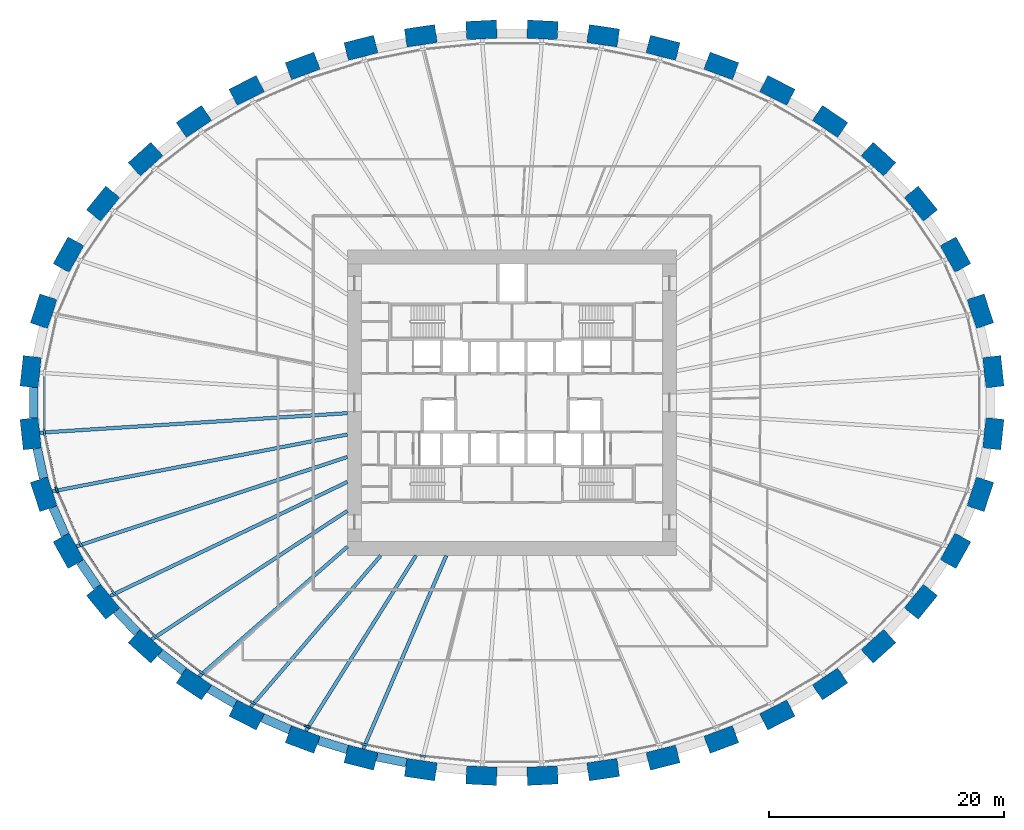
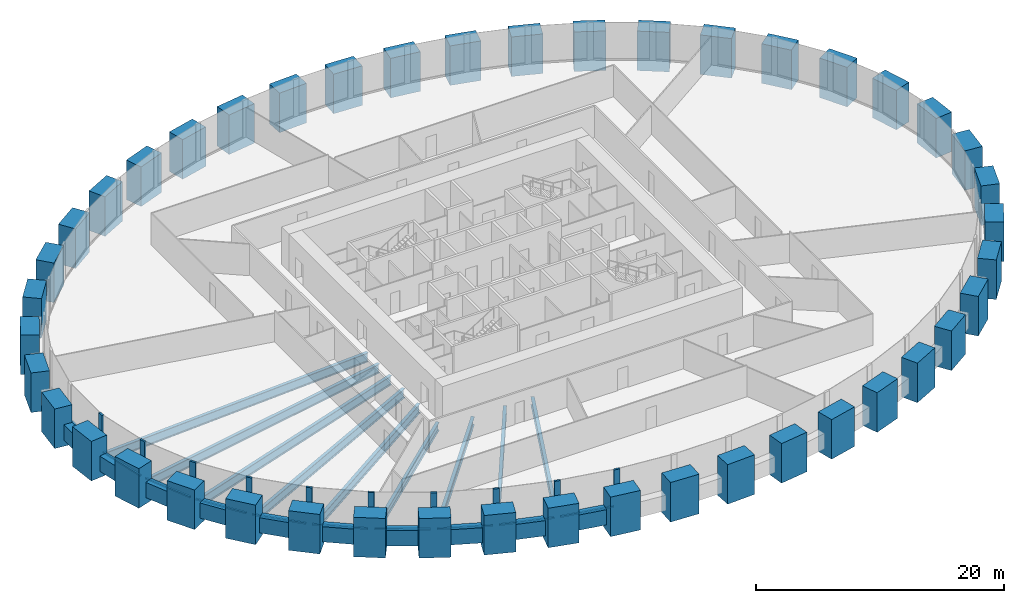
# One storey, part 1 of 10: 44 columns, 20 members, 19 beams, 1 element without a shape of its own.
"""IFC4 building model written with IfcOpenShell, lengths in metres."""

from ifc_helpers import new_model, si_unit, direction, frame, origin, origin_2d, place, context, subcontext, project, spatial, rectangle, i_section, extrude, source, transform, mapped, material, material_profile, profile_set, type_object, element, aggregate, save


model = new_model("IFC4")

# Units and contexts
model_context = context("Model", 3, precision=1e-05, world=origin(), true_north=direction((0.0, 1.0)))
body_context = subcontext(model_context, "Body", "Model", "MODEL_VIEW")
ifc_project = project(units=[si_unit("LENGTHUNIT", "METRE"), si_unit("AREAUNIT", "SQUARE_METRE"), si_unit("VOLUMEUNIT", "CUBIC_METRE"), si_unit("PLANEANGLEUNIT", "RADIAN"), si_unit("MASSUNIT", "GRAM", prefix="KILO")], contexts=[model_context])

# Site, building, storey
site_placement = place(None, origin())
site = spatial("IfcSite", under=ifc_project, at=site_placement, CompositionType="ELEMENT")
building_placement = place(site_placement, origin())
building = spatial("IfcBuilding", under=site, at=building_placement, Name="Embergate Tower", CompositionType="ELEMENT")
storey_placement = place(building_placement, frame((0.0, 0.0, 93.199951171875)))
storey = spatial("IfcBuildingStorey", under=building, at=storey_placement, Name="L19", CompositionType="ELEMENT", Elevation=93.199951171875)

# Columns
ifc_material_1 = material(Name="Concrete C70", Category="concrete")
ifc_material_profile_1 = material_profile(ifc_material_1, rectangle(XDim=1.550048828125, YDim=2.60009765625, at=origin_2d()), Name="RC 1550x2600")
ifc_profile_set_1 = profile_set([ifc_material_profile_1], Name="Concrete C70")
column_type = type_object("IfcColumnType", Name="Ring column RC 1550x2600 C70", PredefinedType="COLUMN", material=ifc_profile_set_1)
shared_shape_1 = source(origin(), body_context, "Body", "SweptSolid", [
    extrude(rectangle(XDim=1.550048828125, YDim=2.60009765625, at=origin_2d()), origin(), (0.0, 0.0, 1.0), 3.89990234375),
])
for number, where, z_axis, x_axis, name in (
    (1, (40.93408203125, 2.634033203125, -1.39990234375), (0.0, 0.0, 1.0), (0.99428589498, 0.106749983816, 0.0), "COL-L19-00"),
    (2, (39.825927734375, 7.781005859375, -1.39990234375), (0.0, 0.0, 1.0), (0.950754033697, 0.309946394413, 0.0), "COL-L19-01"),
    (3, (37.716064453125, 12.592041015625, -1.39990234375), (0.0, 0.0, 1.0), (0.873491969053, 0.486838556403, 0.0), "COL-L19-02"),
    (4, (34.77001953125, 16.926025390625, -1.39990234375), (0.0, 0.0, 1.0), (0.775925311702, 0.630824786022, 0.0), "COL-L19-03"),
    (5, (31.162109375, 20.708984375, -1.39990234375), (0.0, 0.0, 1.0), (0.669208424634, 0.74307475021, 0.0), "COL-L19-04"),
    (6, (27.051025390625, 23.9189453125, -1.39990234375), (0.0, 0.0, 1.0), (0.560393279442, 0.828226643109, 0.0), "COL-L19-05"),
    (7, (22.56298828125, 26.556884765625, -1.39990234375), (0.0, 0.0, 1.0), (0.452994952881, 0.891513080478, 0.0), "COL-L19-06"),
    (8, (17.801025390625, 28.639892578125, -1.39990234375), (0.0, 0.0, 1.0), (0.348343015724, 0.93736713373, 0.0), "COL-L19-07"),
    (9, (12.843017578125, 30.18408203125, -1.39990234375), (0.0, 0.0, 1.0), (0.246491603437, 0.969144926951, 0.0), "COL-L19-08"),
    (10, (7.7548828125, 31.2041015625, -1.39990234375), (0.0, 0.0, 1.0), (0.146929011949, 0.989147039346, 0.0), "COL-L19-09"),
    (11, (2.593017578125, 31.7119140625, -1.39990234375), (0.0, 0.0, 1.0), (0.048814904854, 0.998807841912, 0.0), "COL-L19-10"),
    (12, (-2.593017578125, 31.7119140625, -1.39990234375), (0.0, 0.0, 1.0), (-0.048814904854, 0.998807841912, 0.0), "COL-L19-11"),
    (13, (-7.7548828125, 31.2041015625, -1.39990234375), (0.0, 0.0, 1.0), (-0.146929011949, 0.989147039346, 0.0), "COL-L19-12"),
    (14, (-12.843017578125, 30.18408203125, -1.39990234375), (0.0, 0.0, 1.0), (-0.246491603437, 0.969144926951, 0.0), "COL-L19-13"),
    (15, (-17.801025390625, 28.639892578125, -1.39990234375), (0.0, 0.0, 1.0), (-0.348343015724, 0.93736713373, 0.0), "COL-L19-14"),
    (16, (-22.56298828125, 26.556884765625, -1.39990234375), (0.0, 0.0, 1.0), (-0.452994952881, 0.891513080478, 0.0), "COL-L19-15"),
    (17, (-27.051025390625, 23.9189453125, -1.39990234375), (0.0, 0.0, 1.0), (-0.560393279442, 0.828226643109, 0.0), "COL-L19-16"),
    (18, (-31.162109375, 20.708984375, -1.39990234375), (0.0, 0.0, 1.0), (-0.669208424634, 0.74307475021, 0.0), "COL-L19-17"),
    (19, (-34.77001953125, 16.926025390625, -1.39990234375), (0.0, 0.0, 1.0), (-0.775925311702, 0.630824786022, 0.0), "COL-L19-18"),
    (20, (-37.716064453125, 12.592041015625, -1.39990234375), (0.0, 0.0, 1.0), (-0.873491969053, 0.486838556403, 0.0), "COL-L19-19"),
    (21, (-39.825927734375, 7.781005859375, -1.39990234375), (0.0, 0.0, 1.0), (-0.950754033697, 0.309946394413, 0.0), "COL-L19-20"),
    (22, (-40.93408203125, 2.634033203125, -1.39990234375), (0.0, 0.0, 1.0), (-0.99428589498, 0.106749983816, 0.0), "COL-L19-21"),
    (23, (-40.93408203125, -2.634033203125, -1.39990234375), (0.0, 0.0, 1.0), (-0.99428589498, -0.106749983816, 0.0), "COL-L19-22"),
    (24, (-39.825927734375, -7.781005859375, -1.39990234375), (0.0, 0.0, 1.0), (-0.950754033697, -0.309946394413, 0.0), "COL-L19-23"),
    (25, (-37.716064453125, -12.592041015625, -1.39990234375), (0.0, 0.0, 1.0), (-0.873491969053, -0.486838556403, 0.0), "COL-L19-24"),
    (26, (-34.77001953125, -16.926025390625, -1.39990234375), (0.0, 0.0, 1.0), (-0.775925311702, -0.630824786022, 0.0), "COL-L19-25"),
    (27, (-31.162109375, -20.708984375, -1.39990234375), (0.0, 0.0, 1.0), (-0.669208424634, -0.74307475021, 0.0), "COL-L19-26"),
    (28, (-27.051025390625, -23.9189453125, -1.39990234375), (0.0, 0.0, 1.0), (-0.560393279442, -0.828226643109, 0.0), "COL-L19-27"),
    (29, (-22.56298828125, -26.556884765625, -1.39990234375), (0.0, 0.0, 1.0), (-0.452994952881, -0.891513080478, 0.0), "COL-L19-28"),
    (30, (-17.801025390625, -28.639892578125, -1.39990234375), (0.0, 0.0, 1.0), (-0.348343015724, -0.93736713373, 0.0), "COL-L19-29"),
    (31, (-12.843017578125, -30.18408203125, -1.39990234375), (0.0, 0.0, 1.0), (-0.246491603437, -0.969144926951, 0.0), "COL-L19-30"),
    (32, (-7.7548828125, -31.2041015625, -1.39990234375), (0.0, 0.0, 1.0), (-0.146929011949, -0.989147039346, 0.0), "COL-L19-31"),
    (33, (-2.593017578125, -31.7119140625, -1.39990234375), (0.0, 0.0, 1.0), (-0.048814904854, -0.998807841912, 0.0), "COL-L19-32"),
    (34, (2.593017578125, -31.7119140625, -1.39990234375), (0.0, 0.0, 1.0), (0.048814904854, -0.998807841912, 0.0), "COL-L19-33"),
    (35, (7.7548828125, -31.2041015625, -1.39990234375), (0.0, 0.0, 1.0), (0.146929011949, -0.989147039346, 0.0), "COL-L19-34"),
    (36, (12.843017578125, -30.18408203125, -1.39990234375), (0.0, 0.0, 1.0), (0.246491603437, -0.969144926951, 0.0), "COL-L19-35"),
    (37, (17.801025390625, -28.639892578125, -1.39990234375), (0.0, 0.0, 1.0), (0.348343015724, -0.93736713373, 0.0), "COL-L19-36"),
    (38, (22.56298828125, -26.556884765625, -1.39990234375), (0.0, 0.0, 1.0), (0.452994952881, -0.891513080478, 0.0), "COL-L19-37"),
    (39, (27.051025390625, -23.9189453125, -1.39990234375), (0.0, 0.0, 1.0), (0.560393279442, -0.828226643109, 0.0), "COL-L19-38"),
    (40, (31.162109375, -20.708984375, -1.39990234375), (0.0, 0.0, 1.0), (0.669208424634, -0.74307475021, 0.0), "COL-L19-39"),
    (41, (34.77001953125, -16.926025390625, -1.39990234375), (0.0, 0.0, 1.0), (0.775925311702, -0.630824786022, 0.0), "COL-L19-40"),
    (42, (37.716064453125, -12.592041015625, -1.39990234375), (0.0, 0.0, 1.0), (0.873491969053, -0.486838556403, 0.0), "COL-L19-41"),
    (43, (39.825927734375, -7.781005859375, -1.39990234375), (0.0, 0.0, 1.0), (0.950754033697, -0.309946394413, 0.0), "COL-L19-42"),
    (44, (40.93408203125, -2.634033203125, -1.39990234375), (0.0, 0.0, 1.0), (0.99428589498, -0.106749983816, 0.0), "COL-L19-43"),
):
    element("IfcColumn", number, at=place(storey_placement, frame(where, z_axis=z_axis, x_axis=x_axis)), inside=storey, type_object=column_type, Name=name, PredefinedType="COLUMN", context=body_context, shape_type="MappedRepresentation", body=[
        mapped(shared_shape_1, transform((0.0, 0.0, 0.0))),
    ])

# Beams
ifc_material_profile_2 = material_profile(ifc_material_1, rectangle(XDim=0.75, YDim=1.5, at=origin_2d()), Name="RC 750x1500")
ifc_profile_set_2 = profile_set([ifc_material_profile_2], Name="Concrete C70")
beam_type_1 = type_object("IfcBeamType", Name="Spandrel beam RC 750x1500 C70", PredefinedType="BEAM", material=ifc_profile_set_2)
shared_shape_2 = source(origin(), body_context, "Body", "SweptSolid", [
    extrude(rectangle(XDim=0.75, YDim=1.5, at=origin_2d()), origin(), (0.0, 0.0, 1.0), 2.556640625),
])
beam_1_placement = place(storey_placement, frame((-21.22509765625, -26.7939453125, 0.0), z_axis=(0.91608499415, -0.400984143692, 0.0), x_axis=(0.400984143692, 0.91608499415, 0.0)))
element("IfcBeam", 45, at=beam_1_placement, inside=storey, type_object=beam_type_1, Name="SPN-L19-28", PredefinedType="BEAM", context=body_context, shape_type="MappedRepresentation", body=[
    mapped(shared_shape_2, transform((0.0, 0.0, 0.0))),
])
shared_shape_3 = source(origin(), body_context, "Body", "SweptSolid", [
    extrude(rectangle(XDim=0.75, YDim=1.5, at=origin_2d()), origin(), (0.0, 0.0, 1.0), 2.55517578125),
])
beam_2_placement = place(storey_placement, frame((-16.447021484375, -28.72802734375, 0.0), z_axis=(0.954863400913, -0.297045258499, 0.0), x_axis=(0.297045258499, 0.954863400913, 0.0)))
element("IfcBeam", 46, at=beam_2_placement, inside=storey, type_object=beam_type_1, Name="SPN-L19-29", PredefinedType="BEAM", context=body_context, shape_type="MappedRepresentation", body=[
    mapped(shared_shape_3, transform((0.0, 0.0, 0.0))),
])
shared_shape_4 = source(origin(), body_context, "Body", "SweptSolid", [
    extrude(rectangle(XDim=0.75, YDim=1.5, at=origin_2d()), origin(), (0.0, 0.0, 1.0), 2.593017578125),
])
beam_3_placement = place(storey_placement, frame((-40.383056640625, -3.882080078125, 0.0), z_axis=(0.210615598697, -0.977568958993, 0.0), x_axis=(0.977568958993, 0.210615598697, 0.0)))
element("IfcBeam", 47, at=beam_3_placement, inside=storey, type_object=beam_type_1, Name="SPN-L19-22", PredefinedType="BEAM", context=body_context, shape_type="MappedRepresentation", body=[
    mapped(shared_shape_4, transform((0.0, 0.0, 0.0))),
])
shared_shape_5 = source(origin(), body_context, "Body", "SweptSolid", [
    extrude(rectangle(XDim=0.75, YDim=1.5, at=origin_2d()), origin(), (0.0, 0.0, 1.0), 2.587646484375),
])
beam_4_placement = place(storey_placement, frame((-39.037109375, -8.89111328125, 0.0), z_axis=(0.401546272055, -0.915838736568, 0.0), x_axis=(0.915838736568, 0.401546272055, 0.0)))
element("IfcBeam", 48, at=beam_4_placement, inside=storey, type_object=beam_type_1, Name="SPN-L19-23", PredefinedType="BEAM", context=body_context, shape_type="MappedRepresentation", body=[
    mapped(shared_shape_5, transform((0.0, 0.0, 0.0))),
])
shared_shape_6 = source(origin(), body_context, "Body", "SweptSolid", [
    extrude(rectangle(XDim=0.75, YDim=1.5, at=origin_2d()), origin(), (0.0, 0.0, 1.0), 2.5791015625),
])
beam_5_placement = place(storey_placement, frame((-36.721923828125, -13.52587890625, 0.0), z_axis=(0.562170202136, -0.82702156189, 0.0), x_axis=(0.82702156189, 0.562170202136, 0.0)))
element("IfcBeam", 49, at=beam_5_placement, inside=storey, type_object=beam_type_1, Name="SPN-L19-24", PredefinedType="BEAM", context=body_context, shape_type="MappedRepresentation", body=[
    mapped(shared_shape_6, transform((0.0, 0.0, 0.0))),
])
shared_shape_7 = source(origin(), body_context, "Body", "SweptSolid", [
    extrude(rectangle(XDim=0.75, YDim=1.5, at=origin_2d()), origin(), (0.0, 0.0, 1.0), 2.57373046875),
])
beam_6_placement = place(storey_placement, frame((-33.637939453125, -17.680908203125, 0.0), z_axis=(0.689972491303, -0.723835589927, 0.0), x_axis=(0.723835589927, 0.689972491303, 0.0)))
element("IfcBeam", 50, at=beam_6_placement, inside=storey, type_object=beam_type_1, Name="SPN-L19-25", PredefinedType="BEAM", context=body_context, shape_type="MappedRepresentation", body=[
    mapped(shared_shape_7, transform((0.0, 0.0, 0.0))),
])
shared_shape_8 = source(origin(), body_context, "Body", "SweptSolid", [
    extrude(rectangle(XDim=0.75, YDim=1.5, at=origin_2d()), origin(), (0.0, 0.0, 1.0), 2.5654296875),
])
beam_7_placement = place(storey_placement, frame((-29.9208984375, -21.27392578125, 0.0), z_axis=(0.788131123291, -0.615507378103, 0.0), x_axis=(0.615507378103, 0.788131123291, 0.0)))
element("IfcBeam", 51, at=beam_7_placement, inside=storey, type_object=beam_type_1, Name="SPN-L19-26", PredefinedType="BEAM", context=body_context, shape_type="MappedRepresentation", body=[
    mapped(shared_shape_8, transform((0.0, 0.0, 0.0))),
])
shared_shape_9 = source(origin(), body_context, "Body", "SweptSolid", [
    extrude(rectangle(XDim=0.75, YDim=1.5, at=origin_2d()), origin(), (0.0, 0.0, 1.0), 2.561279296875),
])
beam_8_placement = place(storey_placement, frame((-25.7490234375, -24.31494140625, 0.0), z_axis=(0.862059156479, -0.506807666409, 0.0), x_axis=(0.506807666409, 0.862059156479, 0.0)))
element("IfcBeam", 52, at=beam_8_placement, inside=storey, type_object=beam_type_1, Name="SPN-L19-27", PredefinedType="BEAM", context=body_context, shape_type="MappedRepresentation", body=[
    mapped(shared_shape_9, transform((0.0, 0.0, 0.0))),
])
shared_shape_10 = source(origin(), body_context, "Body", "SweptSolid", [
    extrude(rectangle(XDim=0.75, YDim=1.5, at=origin_2d()), origin(), (0.0, 0.0, 1.0), 2.551513671875),
])
beam_9_placement = place(storey_placement, frame((-11.48291015625, -30.111083984375, 0.0), z_axis=(0.980536490478, -0.196336931934, 0.0), x_axis=(0.196336931934, 0.980536490478, 0.0)))
element("IfcBeam", 53, at=beam_9_placement, inside=storey, type_object=beam_type_1, Name="SPN-L19-30", PredefinedType="BEAM", context=body_context, shape_type="MappedRepresentation", body=[
    mapped(shared_shape_10, transform((0.0, 0.0, 0.0))),
])
shared_shape_11 = source(origin(), body_context, "Body", "SweptSolid", [
    extrude(rectangle(XDim=0.75, YDim=1.5, at=origin_2d()), origin(), (0.0, 0.0, 1.0), 2.59814453125),
])
beam_10_placement = place(storey_placement, frame((-40.677978515625, 1.299072265625, 0.0), z_axis=(0.0, -1.0, 0.0), x_axis=(1.0, 0.0, 0.0)))
element("IfcBeam", 54, at=beam_10_placement, inside=storey, type_object=beam_type_1, Name="SPN-L19-21", PredefinedType="BEAM", context=body_context, shape_type="MappedRepresentation", body=[
    mapped(shared_shape_11, transform((0.0, 0.0, 0.0))),
])
ifc_material_2 = material(Name="Steel Q355B", Category="steel")
ifc_material_profile_3 = material_profile(ifc_material_2, i_section(OverallWidth=0.300048828125, OverallDepth=0.89990234375, WebThickness=0.01611328125, FlangeThickness=0.028076171875, FilletRadius=0.028076171875, at=origin_2d()), Name="HN 900x300x16x28")
ifc_profile_set_3 = profile_set([ifc_material_profile_3], Name="Steel Q355 grade B")
beam_type_2 = type_object("IfcBeamType", Name="Radial girder HN 900x300x16x28", PredefinedType="BEAM", material=ifc_profile_set_3)
shared_shape_12 = source(origin(), body_context, "Body", "SweptSolid", [
    extrude(i_section(OverallWidth=0.300048828125, OverallDepth=0.89990234375, WebThickness=0.01611328125, FlangeThickness=0.028076171875, FilletRadius=0.028076171875, at=origin_2d()), origin(), (0.0, 0.0, 1.0), 26.2158203125),
])
beam_11_placement = place(storey_placement, frame((-40.1630859375, -2.551025390625, -0.64990234375), z_axis=(0.997988133713, 0.063400985539, 0.0), x_axis=(-0.063400985539, 0.997988133713, 0.0)))
element("IfcBeam", 55, at=beam_11_placement, inside=storey, type_object=beam_type_2, Name="GIR-L19-22", PredefinedType="BEAM", context=body_context, shape_type="MappedRepresentation", body=[
    mapped(shared_shape_12, transform((0.0, 0.0, 0.0))),
])
shared_shape_13 = source(origin(), body_context, "Body", "SweptSolid", [
    extrude(i_section(OverallWidth=0.300048828125, OverallDepth=0.89990234375, WebThickness=0.01611328125, FlangeThickness=0.028076171875, FilletRadius=0.028076171875, at=origin_2d()), origin(), (0.0, 0.0, 1.0), 25.5517578125),
])
beam_12_placement = place(storey_placement, frame((-39.089111328125, -7.541015625, -0.64990234375), z_axis=(0.981895532799, 0.189423236878, 0.0), x_axis=(-0.189423236878, 0.981895532799, 0.0)))
element("IfcBeam", 56, at=beam_12_placement, inside=storey, type_object=beam_type_2, Name="GIR-L19-23", PredefinedType="BEAM", context=body_context, shape_type="MappedRepresentation", body=[
    mapped(shared_shape_13, transform((0.0, 0.0, 0.0))),
])
shared_shape_14 = source(origin(), body_context, "Body", "SweptSolid", [
    extrude(i_section(OverallWidth=0.300048828125, OverallDepth=0.89990234375, WebThickness=0.01611328125, FlangeThickness=0.028076171875, FilletRadius=0.028076171875, at=origin_2d()), origin(), (0.0, 0.0, 1.0), 24.259521484375),
])
beam_13_placement = place(storey_placement, frame((-37.0390625, -12.215087890625, -0.64990234375), z_axis=(0.949686852887, 0.313201024029, 0.0), x_axis=(-0.313201024029, 0.949686852887, 0.0)))
element("IfcBeam", 57, at=beam_13_placement, inside=storey, type_object=beam_type_2, Name="GIR-L19-24", PredefinedType="BEAM", context=body_context, shape_type="MappedRepresentation", body=[
    mapped(shared_shape_14, transform((0.0, 0.0, 0.0))),
])
shared_shape_15 = source(origin(), body_context, "Body", "SweptSolid", [
    extrude(i_section(OverallWidth=0.300048828125, OverallDepth=0.89990234375, WebThickness=0.01611328125, FlangeThickness=0.028076171875, FilletRadius=0.028076171875, at=origin_2d()), origin(), (0.0, 0.0, 1.0), 22.381103515625),
])
beam_14_placement = place(storey_placement, frame((-34.1689453125, -16.43701171875, -0.64990234375), z_axis=(0.901159999326, 0.4334866268, 0.0), x_axis=(-0.4334866268, 0.901159999326, 0.0)))
element("IfcBeam", 58, at=beam_14_placement, inside=storey, type_object=beam_type_2, Name="GIR-L19-25", PredefinedType="BEAM", context=body_context, shape_type="MappedRepresentation", body=[
    mapped(shared_shape_15, transform((0.0, 0.0, 0.0))),
])
shared_shape_16 = source(origin(), body_context, "Body", "SweptSolid", [
    extrude(i_section(OverallWidth=0.300048828125, OverallDepth=0.89990234375, WebThickness=0.01611328125, FlangeThickness=0.028076171875, FilletRadius=0.028076171875, at=origin_2d()), origin(), (0.0, 0.0, 1.0), 19.9140625),
])
beam_15_placement = place(storey_placement, frame((-30.64306640625, -20.133056640625, -0.64990234375), z_axis=(0.835747275066, 0.549114279745, 0.0), x_axis=(-0.549114279745, 0.835747275066, 0.0)))
element("IfcBeam", 59, at=beam_15_placement, inside=storey, type_object=beam_type_2, Name="GIR-L19-26", PredefinedType="BEAM", context=body_context, shape_type="MappedRepresentation", body=[
    mapped(shared_shape_16, transform((0.0, 0.0, 0.0))),
])
ifc_material_profile_4 = material_profile(ifc_material_2, i_section(OverallWidth=0.300048828125, OverallDepth=0.800048828125, WebThickness=0.013916015625, FlangeThickness=0.02587890625, FilletRadius=0.028076171875, at=origin_2d()), Name="HN 800x300x14x26")
ifc_profile_set_4 = profile_set([ifc_material_profile_4], Name="Steel Q355 grade B")
beam_type_3 = type_object("IfcBeamType", Name="Radial girder HN 800x300x14x26", PredefinedType="BEAM", material=ifc_profile_set_4)
shared_shape_17 = source(origin(), body_context, "Body", "SweptSolid", [
    extrude(i_section(OverallWidth=0.300048828125, OverallDepth=0.800048828125, WebThickness=0.013916015625, FlangeThickness=0.02587890625, FilletRadius=0.028076171875, at=origin_2d()), origin(), (0.0, 0.0, 1.0), 16.76123046875),
])
beam_16_placement = place(storey_placement, frame((-26.616943359375, -23.277099609375, -0.599853515625), z_axis=(0.752743596645, 0.658313814005, 0.0), x_axis=(-0.658313814005, 0.752743596645, 0.0)))
element("IfcBeam", 60, at=beam_16_placement, inside=storey, type_object=beam_type_3, Name="GIR-L19-27", PredefinedType="BEAM", context=body_context, shape_type="MappedRepresentation", body=[
    mapped(shared_shape_17, transform((0.0, 0.0, 0.0))),
])
shared_shape_18 = source(origin(), body_context, "Body", "SweptSolid", [
    extrude(i_section(OverallWidth=0.300048828125, OverallDepth=0.800048828125, WebThickness=0.013916015625, FlangeThickness=0.02587890625, FilletRadius=0.028076171875, at=origin_2d()), origin(), (0.0, 0.0, 1.0), 16.958984375),
])
beam_17_placement = place(storey_placement, frame((-22.2119140625, -25.865966796875, -0.599853515625), z_axis=(0.651500044605, 0.75864859578, 0.0), x_axis=(-0.75864859578, 0.651500044605, 0.0)))
element("IfcBeam", 61, at=beam_17_placement, inside=storey, type_object=beam_type_3, Name="GIR-L19-28", PredefinedType="BEAM", context=body_context, shape_type="MappedRepresentation", body=[
    mapped(shared_shape_18, transform((0.0, 0.0, 0.0))),
])
shared_shape_19 = source(origin(), body_context, "Body", "SweptSolid", [
    extrude(i_section(OverallWidth=0.300048828125, OverallDepth=0.800048828125, WebThickness=0.013916015625, FlangeThickness=0.02587890625, FilletRadius=0.028076171875, at=origin_2d()), origin(), (0.0, 0.0, 1.0), 17.611083984375),
])
beam_18_placement = place(storey_placement, frame((-17.531005859375, -27.9140625, -0.599853515625), z_axis=(0.531822007443, 0.846856158034, 0.0), x_axis=(-0.846856158034, 0.531822007443, 0.0)))
element("IfcBeam", 62, at=beam_18_placement, inside=storey, type_object=beam_type_3, Name="GIR-L19-29", PredefinedType="BEAM", context=body_context, shape_type="MappedRepresentation", body=[
    mapped(shared_shape_19, transform((0.0, 0.0, 0.0))),
])
shared_shape_20 = source(origin(), body_context, "Body", "SweptSolid", [
    extrude(i_section(OverallWidth=0.300048828125, OverallDepth=0.800048828125, WebThickness=0.013916015625, FlangeThickness=0.02587890625, FilletRadius=0.028076171875, at=origin_2d()), origin(), (0.0, 0.0, 1.0), 17.88720703125),
])
beam_19_placement = place(storey_placement, frame((-12.652099609375, -29.43310546875, -0.599853515625), z_axis=(0.394932140267, 0.918710294154, 0.0), x_axis=(-0.918710294154, 0.394932140267, 0.0)))
element("IfcBeam", 63, at=beam_19_placement, inside=storey, type_object=beam_type_3, Name="GIR-L19-30", PredefinedType="BEAM", context=body_context, shape_type="MappedRepresentation", body=[
    mapped(shared_shape_20, transform((0.0, 0.0, 0.0))),
])

# Curtain wall, members
ifc_material_3 = material(Name="Aluminium and glass", Category="aluminium")
curtain_wall_type = type_object("IfcCurtainWallType", Name="Recessed office glazing", PredefinedType="NOTDEFINED", material=ifc_material_3)
curtain_wall_placement = place(storey_placement, origin())
curtain_wall = element("IfcCurtainWall", 64, at=curtain_wall_placement, inside=storey, type_object=curtain_wall_type, Name="Recessed office glazing ring", ObjectType="RECESSED OFFICE GLAZING", PredefinedType="USERDEFINED")
ifc_material_4 = material(Name="Aluminium, thermally broken", Category="aluminium")
ifc_material_profile_5 = material_profile(ifc_material_4, rectangle(XDim=0.179931640625, YDim=0.52001953125, at=origin_2d()), Name="AL 520x180")
ifc_profile_set_5 = profile_set([ifc_material_profile_5], Name="Aluminium, thermally broken")
member_type_1 = type_object("IfcMemberType", Name="Office mullion", PredefinedType="MULLION", material=ifc_profile_set_5)
shared_shape_21 = source(origin(), body_context, "Body", "SweptSolid", [
    extrude(rectangle(XDim=0.179931640625, YDim=0.52001953125, at=origin_2d()), origin(), (0.0, 0.0, 1.0), 3.699951171875),
])
member_1_placement = place(storey_placement, frame((-39.775390625, -2.509765625, 0.0), z_axis=(0.0, 0.0, 1.0), x_axis=(0.994385324123, 0.105819786286, 0.0)))
member_1 = element("IfcMember", 65, at=member_1_placement, type_object=member_type_1, Name="CW mullion 23", PredefinedType="MULLION", context=body_context, shape_type="MappedRepresentation", body=[
    mapped(shared_shape_21, transform((0.0, 0.0, 0.0))),
])
member_2_placement = place(storey_placement, frame((-38.718994140625, -7.41943359375, 0.0), z_axis=(0.0, 0.0, 1.0), x_axis=(0.951500482757, 0.30764725143, 0.0)))
member_2 = element("IfcMember", 66, at=member_2_placement, type_object=member_type_1, Name="CW mullion 24", PredefinedType="MULLION", context=body_context, shape_type="MappedRepresentation", body=[
    mapped(shared_shape_21, transform((0.0, 0.0, 0.0))),
])
member_3_placement = place(storey_placement, frame((-36.698974609375, -12.025390625, 0.0), z_axis=(0.0, 0.0, 1.0), x_axis=(0.875006120538, 0.484111855898, 0.0)))
member_3 = element("IfcMember", 67, at=member_3_placement, type_object=member_type_1, Name="CW mullion 25", PredefinedType="MULLION", context=body_context, shape_type="MappedRepresentation", body=[
    mapped(shared_shape_21, transform((0.0, 0.0, 0.0))),
])
member_4_placement = place(storey_placement, frame((-33.86572265625, -16.19140625, 0.0), z_axis=(0.0, 0.0, 1.0), x_axis=(0.777878048342, 0.628415262312, 0.0)))
member_4 = element("IfcMember", 68, at=member_4_placement, type_object=member_type_1, Name="CW mullion 26", PredefinedType="MULLION", context=body_context, shape_type="MappedRepresentation", body=[
    mapped(shared_shape_21, transform((0.0, 0.0, 0.0))),
])
member_5_placement = place(storey_placement, frame((-30.382568359375, -19.84375, 0.0), z_axis=(0.0, 0.0, 1.0), x_axis=(0.671231708857, 0.741247592256, 0.0)))
member_5 = element("IfcMember", 69, at=member_5_placement, type_object=member_type_1, Name="CW mullion 27", PredefinedType="MULLION", context=body_context, shape_type="MappedRepresentation", body=[
    mapped(shared_shape_21, transform((0.0, 0.0, 0.0))),
])
member_6_placement = place(storey_placement, frame((-26.39794921875, -22.95361328125, 0.0), z_axis=(0.0, 0.0, 1.0), x_axis=(0.562220505278, 0.826987365953, 0.0)))
member_6 = element("IfcMember", 70, at=member_6_placement, type_object=member_type_1, Name="CW mullion 28", PredefinedType="MULLION", context=body_context, shape_type="MappedRepresentation", body=[
    mapped(shared_shape_21, transform((0.0, 0.0, 0.0))),
])
member_7_placement = place(storey_placement, frame((-22.03564453125, -25.518310546875, 0.0), z_axis=(0.0, 0.0, 1.0), x_axis=(0.454514489796, 0.890739343784, 0.0)))
member_7 = element("IfcMember", 71, at=member_7_placement, type_object=member_type_1, Name="CW mullion 29", PredefinedType="MULLION", context=body_context, shape_type="MappedRepresentation", body=[
    mapped(shared_shape_21, transform((0.0, 0.0, 0.0))),
])
member_8_placement = place(storey_placement, frame((-17.394775390625, -27.547607421875, 0.0), z_axis=(0.0, 0.0, 1.0), x_axis=(0.349504318111, 0.93693475313, 0.0)))
member_8 = element("IfcMember", 72, at=member_8_placement, type_object=member_type_1, Name="CW mullion 30", PredefinedType="MULLION", context=body_context, shape_type="MappedRepresentation", body=[
    mapped(shared_shape_21, transform((0.0, 0.0, 0.0))),
])
member_9_placement = place(storey_placement, frame((-12.555419921875, -29.0546875, 0.0), z_axis=(0.0, 0.0, 1.0), x_axis=(0.247313572481, 0.968935496752, 0.0)))
member_9 = element("IfcMember", 73, at=member_9_placement, type_object=member_type_1, Name="CW mullion 31", PredefinedType="MULLION", context=body_context, shape_type="MappedRepresentation", body=[
    mapped(shared_shape_21, transform((0.0, 0.0, 0.0))),
])
member_10_placement = place(storey_placement, frame((-7.583740234375, -30.052001953125, 0.0), z_axis=(0.0, 0.0, 1.0), x_axis=(0.147412382818, 0.989075118174, 0.0)))
member_10 = element("IfcMember", 74, at=member_10_placement, type_object=member_type_1, Name="CW mullion 32", PredefinedType="MULLION", context=body_context, shape_type="MappedRepresentation", body=[
    mapped(shared_shape_21, transform((0.0, 0.0, 0.0))),
])
ifc_material_profile_6 = material_profile(ifc_material_4, rectangle(XDim=0.179931640625, YDim=0.14990234375, at=origin_2d()), Name="AL 150x180")
ifc_profile_set_6 = profile_set([ifc_material_profile_6], Name="Aluminium, thermally broken")
member_type_2 = type_object("IfcMemberType", Name="Office sill transom", PredefinedType="USERDEFINED", material=ifc_profile_set_6)
shared_shape_22 = source(origin(), body_context, "Body", "SweptSolid", [
    extrude(rectangle(XDim=0.179931640625, YDim=0.14990234375, at=origin_2d()), origin(), (0.0, 0.0, 1.0), 4.502197265625),
])
member_11_placement = place(storey_placement, frame((-39.720703125, -2.763916015625, 0.074951171875), z_axis=(0.210351167002, -0.977625892937, 0.0), x_axis=(0.977625892937, 0.210351167002, 0.0)))
member_11 = element("IfcMember", 75, at=member_11_placement, type_object=member_type_2, Name="CW transom 23.1", ObjectType="TRANSOM", PredefinedType="USERDEFINED", context=body_context, shape_type="MappedRepresentation", body=[
    mapped(shared_shape_22, transform((0.0, 0.0, 0.0))),
])
shared_shape_23 = source(origin(), body_context, "Body", "SweptSolid", [
    extrude(rectangle(XDim=0.179931640625, YDim=0.14990234375, at=origin_2d()), origin(), (0.0, 0.0, 1.0), 4.54541015625),
])
member_12_placement = place(storey_placement, frame((-21.79736328125, -25.62255859375, 0.074951171875), z_axis=(0.916233748986, -0.400644127898, 0.0), x_axis=(0.400644127898, 0.916233748986, 0.0)))
member_12 = element("IfcMember", 76, at=member_12_placement, type_object=member_type_2, Name="CW transom 29.1", ObjectType="TRANSOM", PredefinedType="USERDEFINED", context=body_context, shape_type="MappedRepresentation", body=[
    mapped(shared_shape_23, transform((0.0, 0.0, 0.0))),
])
shared_shape_24 = source(origin(), body_context, "Body", "SweptSolid", [
    extrude(rectangle(XDim=0.179931640625, YDim=0.14990234375, at=origin_2d()), origin(), (0.0, 0.0, 1.0), 4.50927734375),
])
member_13_placement = place(storey_placement, frame((-38.614501953125, -7.65771484375, 0.074951171875), z_axis=(0.401687783821, -0.915776678197, 0.0), x_axis=(0.915776678197, 0.401687783821, 0.0)))
member_13 = element("IfcMember", 77, at=member_13_placement, type_object=member_type_2, Name="CW transom 24.1", ObjectType="TRANSOM", PredefinedType="USERDEFINED", context=body_context, shape_type="MappedRepresentation", body=[
    mapped(shared_shape_24, transform((0.0, 0.0, 0.0))),
])
shared_shape_25 = source(origin(), body_context, "Body", "SweptSolid", [
    extrude(rectangle(XDim=0.179931640625, YDim=0.14990234375, at=origin_2d()), origin(), (0.0, 0.0, 1.0), 4.51806640625),
])
member_14_placement = place(storey_placement, frame((-36.552734375, -12.240234375, 0.074951171875), z_axis=(0.562345492648, -0.826902380513, 0.0), x_axis=(0.826902380513, 0.562345492648, 0.0)))
member_14 = element("IfcMember", 78, at=member_14_placement, type_object=member_type_2, Name="CW transom 25.1", ObjectType="TRANSOM", PredefinedType="USERDEFINED", context=body_context, shape_type="MappedRepresentation", body=[
    mapped(shared_shape_25, transform((0.0, 0.0, 0.0))),
])
shared_shape_26 = source(origin(), body_context, "Body", "SweptSolid", [
    extrude(rectangle(XDim=0.179931640625, YDim=0.14990234375, at=origin_2d()), origin(), (0.0, 0.0, 1.0), 4.527099609375),
])
member_15_placement = place(storey_placement, frame((-33.686279296875, -16.37939453125, 0.074951171875), z_axis=(0.690135768869, -0.723679915797, 0.0), x_axis=(0.723679915797, 0.690135768869, 0.0)))
member_15 = element("IfcMember", 79, at=member_15_placement, type_object=member_type_2, Name="CW transom 26.1", ObjectType="TRANSOM", PredefinedType="USERDEFINED", context=body_context, shape_type="MappedRepresentation", body=[
    mapped(shared_shape_26, transform((0.0, 0.0, 0.0))),
])
shared_shape_27 = source(origin(), body_context, "Body", "SweptSolid", [
    extrude(rectangle(XDim=0.179931640625, YDim=0.14990234375, at=origin_2d()), origin(), (0.0, 0.0, 1.0), 4.53466796875),
])
member_16_placement = place(storey_placement, frame((-30.177734375, -20.003662109375, 0.074951171875), z_axis=(0.78831323582, -0.615274119584, 0.0), x_axis=(0.615274119584, 0.78831323582, 0.0)))
member_16 = element("IfcMember", 80, at=member_16_placement, type_object=member_type_2, Name="CW transom 27.1", ObjectType="TRANSOM", PredefinedType="USERDEFINED", context=body_context, shape_type="MappedRepresentation", body=[
    mapped(shared_shape_27, transform((0.0, 0.0, 0.0))),
])
shared_shape_28 = source(origin(), body_context, "Body", "SweptSolid", [
    extrude(rectangle(XDim=0.179931640625, YDim=0.14990234375, at=origin_2d()), origin(), (0.0, 0.0, 1.0), 4.54052734375),
])
member_17_placement = place(storey_placement, frame((-26.173828125, -23.08544921875, 0.074951171875), z_axis=(0.862042012294, -0.506836826839, 0.0), x_axis=(0.506836826839, 0.862042012294, 0.0)))
member_17 = element("IfcMember", 81, at=member_17_placement, type_object=member_type_2, Name="CW transom 28.1", ObjectType="TRANSOM", PredefinedType="USERDEFINED", context=body_context, shape_type="MappedRepresentation", body=[
    mapped(shared_shape_28, transform((0.0, 0.0, 0.0))),
])
shared_shape_29 = source(origin(), body_context, "Body", "SweptSolid", [
    extrude(rectangle(XDim=0.179931640625, YDim=0.14990234375, at=origin_2d()), origin(), (0.0, 0.0, 1.0), 4.548583984375),
])
member_18_placement = place(storey_placement, frame((-17.146484375, -27.625, 0.074951171875), z_axis=(0.954766057569, -0.297357991845, 0.0), x_axis=(0.297357991845, 0.954766057569, 0.0)))
member_18 = element("IfcMember", 82, at=member_18_placement, type_object=member_type_2, Name="CW transom 30.1", ObjectType="TRANSOM", PredefinedType="USERDEFINED", context=body_context, shape_type="MappedRepresentation", body=[
    mapped(shared_shape_29, transform((0.0, 0.0, 0.0))),
])
shared_shape_30 = source(origin(), body_context, "Body", "SweptSolid", [
    extrude(rectangle(XDim=0.179931640625, YDim=0.14990234375, at=origin_2d()), origin(), (0.0, 0.0, 1.0), 4.55078125),
])
member_19_placement = place(storey_placement, frame((-12.300537109375, -29.10595703125, 0.074951171875), z_axis=(0.980479438646, -0.196621642736, 0.0), x_axis=(0.196621642736, 0.980479438646, 0.0)))
member_19 = element("IfcMember", 83, at=member_19_placement, type_object=member_type_2, Name="CW transom 31.1", ObjectType="TRANSOM", PredefinedType="USERDEFINED", context=body_context, shape_type="MappedRepresentation", body=[
    mapped(shared_shape_30, transform((0.0, 0.0, 0.0))),
])
shared_shape_31 = source(origin(), body_context, "Body", "SweptSolid", [
    extrude(rectangle(XDim=0.179931640625, YDim=0.14990234375, at=origin_2d()), origin(), (0.0, 0.0, 1.0), 4.49951171875),
])
member_20_placement = place(storey_placement, frame((-39.775390625, 2.249755859375, 0.074951171875), z_axis=(0.0, -1.0, 0.0), x_axis=(1.0, 0.0, 0.0)))
member_20 = element("IfcMember", 84, at=member_20_placement, type_object=member_type_2, Name="CW transom 22.1", ObjectType="TRANSOM", PredefinedType="USERDEFINED", context=body_context, shape_type="MappedRepresentation", body=[
    mapped(shared_shape_31, transform((0.0, 0.0, 0.0))),
])
aggregate(curtain_wall, [member_1, member_2, member_3, member_4, member_5, member_6, member_7, member_8, member_9, member_10, member_20, member_11, member_13, member_14, member_15, member_16, member_17, member_12, member_18, member_19])

save(model, "model.ifc")
